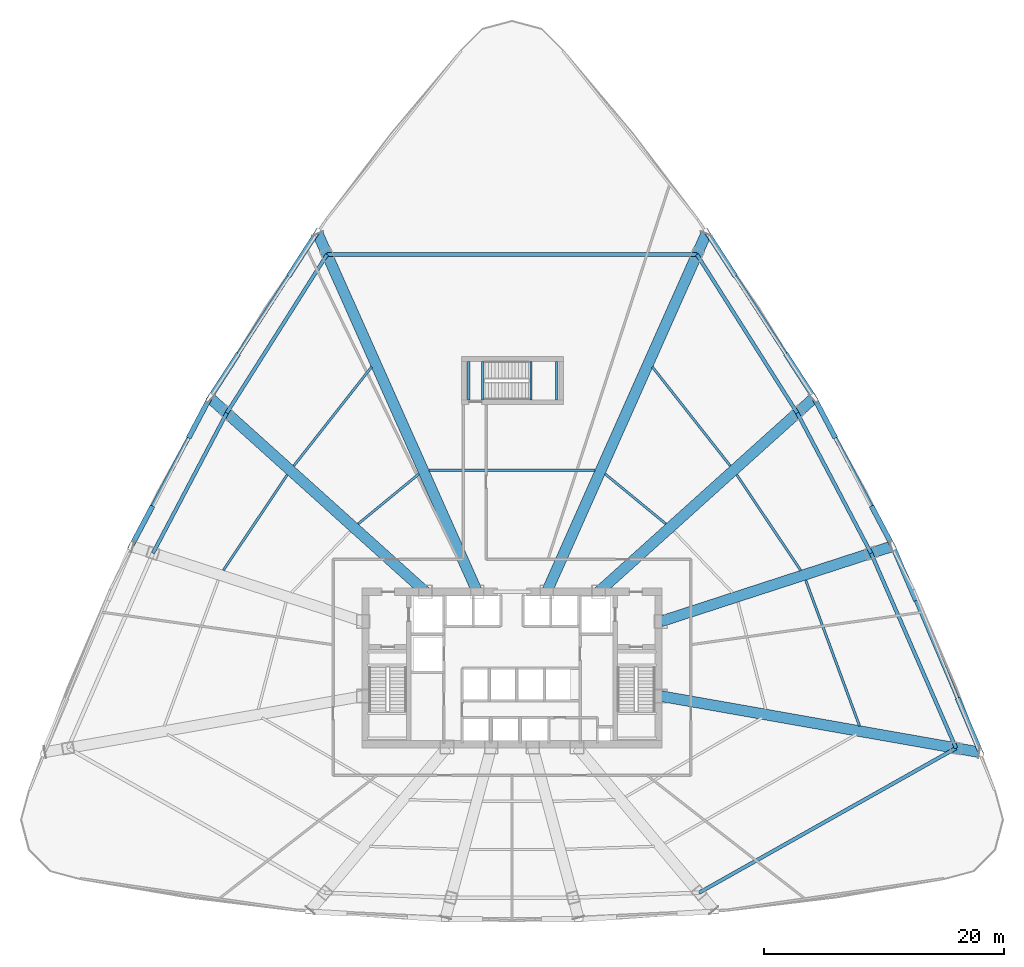
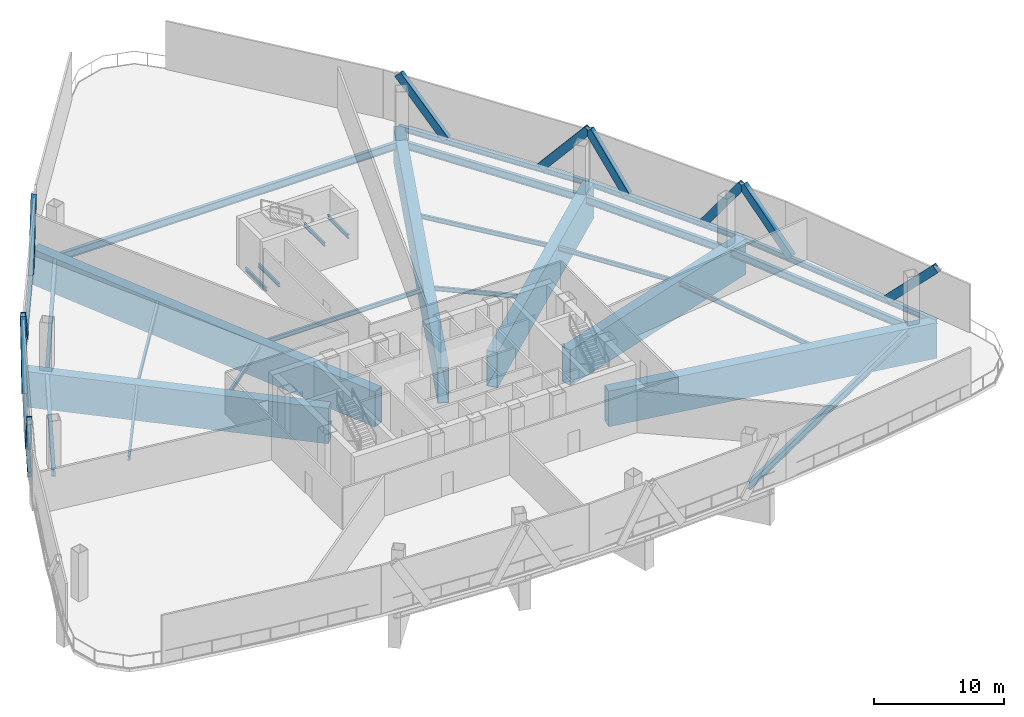
# One storey, part 2 of 15: 30 beams, 10 members.
"""IFC4 building model written with IfcOpenShell, lengths in metres."""

from ifc_helpers import new_model, si_unit, direction, frame, origin, origin_2d, place, context, subcontext, project, spatial, hollow_rectangle, i_section, extrude, source, transform, mapped, material, material_profile, profile_set, type_object, element, save


model = new_model("IFC4")

# Units and contexts
model_context = context("Model", 3, precision=1e-05, world=origin(), true_north=direction((0.0, 1.0)))
body_context = subcontext(model_context, "Body", "Model", "MODEL_VIEW")
ifc_project = project(units=[si_unit("LENGTHUNIT", "METRE"), si_unit("AREAUNIT", "SQUARE_METRE"), si_unit("VOLUMEUNIT", "CUBIC_METRE"), si_unit("PLANEANGLEUNIT", "RADIAN"), si_unit("MASSUNIT", "GRAM", prefix="KILO"), si_unit("THERMODYNAMICTEMPERATUREUNIT", "KELVIN"), si_unit("POWERUNIT", "WATT")], contexts=[model_context])

# Site, building, storey
site_placement = place(None, origin())
site = spatial("IfcSite", under=ifc_project, at=site_placement, CompositionType="ELEMENT")
building_placement = place(site_placement, origin())
building = spatial("IfcBuilding", under=site, at=building_placement, Name="Yunzhuo Pagoda Commons", CompositionType="ELEMENT")
storey_placement = place(building_placement, frame((0.0, 0.0, 125.030029296875)))
storey = spatial("IfcBuildingStorey", under=building, at=storey_placement, Name="L31", CompositionType="ELEMENT", Elevation=125.030029296875)

# Beams
ifc_material_1 = material(Name="Structural steel Q355B", Category="steel")
ifc_material_profile_1 = material_profile(ifc_material_1, i_section(OverallWidth=0.175048828125, OverallDepth=0.35009765625, WebThickness=0.007080078125, FlangeThickness=0.010986328125, at=origin_2d()), Name="Structural steel Q355B")
ifc_profile_set_1 = profile_set([ifc_material_profile_1], Name="Structural steel Q355B")
beam_type_1 = type_object("IfcBeamType", Name="B-JS2 Joist HN 350x175x7x11", PredefinedType="JOIST", material=ifc_profile_set_1)
shared_shape_1 = source(origin(), body_context, "Body", "SweptSolid", [
    extrude(i_section(OverallWidth=0.175048828125, OverallDepth=0.35009765625, WebThickness=0.007080078125, FlangeThickness=0.010986328125, at=origin_2d()), origin(), (0.0, 0.0, 1.0), 3.199951171875),
])
for number, where, z_axis, x_axis, name in (
    (1, (49.590087890625, 56.199951171875, 2.02490234375), (0.0, 1.0, 0.0), (-1.0, 0.0, 0.0), "L31 ST3 landing support beam 37A"),
    (2, (51.699951171875, 56.199951171875, 2.02490234375), (0.0, 1.0, 0.0), (-1.0, 0.0, 0.0), "L31 ST3 landing support beam 37B"),
    (3, (44.39990234375, 56.199951171875, -0.375), (0.0, 1.0, 0.0), (-1.0, 0.0, 0.0), "L31 ST3 landing support beam 105A"),
    (4, (45.550048828125, 56.199951171875, -0.375), (0.0, 1.0, 0.0), (-1.0, 0.0, 0.0), "L31 ST3 landing support beam 105B"),
):
    element("IfcBeam", number, at=place(storey_placement, frame(where, z_axis=z_axis, x_axis=x_axis)), inside=storey, type_object=beam_type_1, Name=name, PredefinedType="JOIST", context=body_context, shape_type="MappedRepresentation", body=[
        mapped(shared_shape_1, transform((0.0, 0.0, 0.0), scale=1.0)),
    ])
ifc_material_2 = material(Name="Structural steel Q420B", Category="steel")
ifc_material_profile_2 = material_profile(ifc_material_2, hollow_rectangle(XDim=0.89990234375, YDim=3.35009765625, WallThickness=0.048095703125, at=origin_2d()), Name="Structural steel Q420B")
ifc_profile_set_2 = profile_set([ifc_material_profile_2], Name="Structural steel Q420B")
beam_type_2 = type_object("IfcBeamType", Name="BTR-2 Beam BOX 3350x900x48", PredefinedType="BEAM", material=ifc_profile_set_2)
shared_shape_2 = source(origin(), body_context, "Body", "SweptSolid", [
    extrude(hollow_rectangle(XDim=0.89990234375, YDim=3.35009765625, WallThickness=0.048095703125, at=origin_2d()), origin(), (0.0, 0.0, 1.0), 26.904052734375),
])
beam_1_placement = place(storey_placement, frame((86.895263671875, 26.841796875, -1.955078125), z_axis=(-0.984809127253, 0.173640383782, 0.0), x_axis=(-0.173640383782, -0.984809127253, 0.0)))
element("IfcBeam", 5, at=beam_1_placement, inside=storey, type_object=beam_type_2, Name="BTR-2 L31 collinear transfer girder F2C1", PredefinedType="BEAM", context=body_context, shape_type="MappedRepresentation", body=[
    mapped(shared_shape_2, transform((0.0, 0.0, 0.0), scale=1.0)),
])
shared_shape_3 = source(origin(), body_context, "Body", "SweptSolid", [
    extrude(hollow_rectangle(XDim=0.89990234375, YDim=3.35009765625, WallThickness=0.048095703125, at=origin_2d()), origin(), (0.0, 0.0, 1.0), 20.159912109375),
])
beam_2_placement = place(storey_placement, frame((79.572998046875, 43.958740234375, -1.955078125), z_axis=(-0.951056226242, -0.309017887067, 0.0), x_axis=(0.309017887067, -0.951056226242, 0.0)))
element("IfcBeam", 6, at=beam_2_placement, inside=storey, type_object=beam_type_2, Name="BTR-2 L31 collinear transfer girder F2C2", PredefinedType="BEAM", context=body_context, shape_type="MappedRepresentation", body=[
    mapped(shared_shape_3, transform((0.0, 0.0, 0.0), scale=1.0)),
])
shared_shape_4 = source(origin(), body_context, "Body", "SweptSolid", [
    extrude(hollow_rectangle(XDim=0.89990234375, YDim=3.35009765625, WallThickness=0.048095703125, at=origin_2d()), origin(), (0.0, 0.0, 1.0), 24.005859375),
])
for number, where, z_axis, x_axis, name in (
    (7, (73.05859375, 56.26318359375, -1.955078125), (-0.743136854915, -0.66913945846, 0.0), (0.66913945846, -0.743136854915, 0.0), "BTR-2 L31 collinear transfer girder F2C3"),
    (8, (22.94140625, 56.26318359375, -1.955078125), (0.743136854915, -0.66913945846, 0.0), (0.66913945846, 0.743136854915, 0.0), "BTR-2 L31 collinear transfer girder F3C2"),
):
    element("IfcBeam", number, at=place(storey_placement, frame(where, z_axis=z_axis, x_axis=x_axis)), inside=storey, type_object=beam_type_2, Name=name, PredefinedType="BEAM", context=body_context, shape_type="MappedRepresentation", body=[
        mapped(shared_shape_4, transform((0.0, 0.0, 0.0), scale=1.0)),
    ])
shared_shape_5 = source(origin(), body_context, "Body", "SweptSolid", [
    extrude(hollow_rectangle(XDim=0.89990234375, YDim=3.35009765625, WallThickness=0.048095703125, at=origin_2d()), origin(), (0.0, 0.0, 1.0), 32.64453125),
])
for number, where, z_axis, x_axis, name in (
    (9, (64.171630859375, 70.022216796875, -1.955078125), (-0.406733058142, -0.91354705375, 0.0), (0.91354705375, -0.406733058142, 0.0), "BTR-2 L31 collinear transfer girder F2C4"),
    (10, (31.828369140625, 70.022216796875, -1.955078125), (0.406733058142, -0.91354705375, 0.0), (0.91354705375, 0.406733058142, 0.0), "BTR-2 L31 collinear transfer girder F3C1"),
):
    element("IfcBeam", number, at=place(storey_placement, frame(where, z_axis=z_axis, x_axis=x_axis)), inside=storey, type_object=beam_type_2, Name=name, PredefinedType="BEAM", context=body_context, shape_type="MappedRepresentation", body=[
        mapped(shared_shape_5, transform((0.0, 0.0, 0.0), scale=1.0)),
    ])
ifc_material_profile_3 = material_profile(ifc_material_1, i_section(OverallWidth=0.300048828125, OverallDepth=0.488037109375, WebThickness=0.010986328125, FlangeThickness=0.01806640625, at=origin_2d()), Name="Structural steel Q355B")
ifc_profile_set_3 = profile_set([ifc_material_profile_3], Name="Structural steel Q355B")
beam_type_3 = type_object("IfcBeamType", Name="B-SP1 Beam HM 488x300x11x18", PredefinedType="BEAM", material=ifc_profile_set_3)
shared_shape_6 = source(origin(), body_context, "Body", "SweptSolid", [
    extrude(i_section(OverallWidth=0.300048828125, OverallDepth=0.488037109375, WebThickness=0.010986328125, FlangeThickness=0.01806640625, at=origin_2d()), origin(), (0.0, 0.0, 1.0), 18.688232421875),
])
beam_3_placement = place(storey_placement, frame((87.0478515625, 26.814697265625, -0.523681640625), z_axis=(-0.392084847938, 0.919929058144, 0.0), x_axis=(-0.919929058144, -0.392084847938, 0.0)))
element("IfcBeam", 11, at=beam_3_placement, inside=storey, type_object=beam_type_3, Name="L31 facade edge spandrel beam F2.1", PredefinedType="BEAM", context=body_context, shape_type="MappedRepresentation", body=[
    mapped(shared_shape_6, transform((0.0, 0.0, 0.0), scale=1.0)),
])
shared_shape_7 = source(origin(), body_context, "Body", "SweptSolid", [
    extrude(i_section(OverallWidth=0.300048828125, OverallDepth=0.488037109375, WebThickness=0.010986328125, FlangeThickness=0.01806640625, at=origin_2d()), origin(), (0.0, 0.0, 1.0), 13.98681640625),
])
for number, where, z_axis, x_axis, name in (
    (12, (79.720458984375, 44.006591796875, -0.523681640625), (-0.468057733589, 0.883697888437, 0.0), (-0.883697888437, -0.468057733589, 0.0), "L31 facade edge spandrel beam F2.2"),
    (13, (22.826171875, 56.36669921875, -0.523681640625), (-0.468057733589, -0.883697888437, 0.0), (0.883697888437, -0.468057733589, 0.0), "L31 facade edge spandrel beam F3.2"),
):
    element("IfcBeam", number, at=place(storey_placement, frame(where, z_axis=z_axis, x_axis=x_axis)), inside=storey, type_object=beam_type_3, Name=name, PredefinedType="BEAM", context=body_context, shape_type="MappedRepresentation", body=[
        mapped(shared_shape_7, transform((0.0, 0.0, 0.0), scale=1.0)),
    ])
shared_shape_8 = source(origin(), body_context, "Body", "SweptSolid", [
    extrude(i_section(OverallWidth=0.300048828125, OverallDepth=0.488037109375, WebThickness=0.010986328125, FlangeThickness=0.01806640625, at=origin_2d()), origin(), (0.0, 0.0, 1.0), 16.43994140625),
])
for number, where, z_axis, x_axis, name in (
    (14, (73.173828125, 56.36669921875, -0.523681640625), (-0.543751172909, 0.839246484627, 0.0), (-0.839246484627, -0.543751172909, 0.0), "L31 facade edge spandrel beam F2.3"),
    (15, (31.765380859375, 70.163818359375, -0.523681640625), (-0.543751172909, -0.839246484627, 0.0), (0.839246484627, -0.543751172909, 0.0), "L31 facade edge spandrel beam F3.1"),
):
    element("IfcBeam", number, at=place(storey_placement, frame(where, z_axis=z_axis, x_axis=x_axis)), inside=storey, type_object=beam_type_3, Name=name, PredefinedType="BEAM", context=body_context, shape_type="MappedRepresentation", body=[
        mapped(shared_shape_8, transform((0.0, 0.0, 0.0), scale=1.0)),
    ])
ifc_material_profile_4 = material_profile(ifc_material_1, i_section(OverallWidth=0.300048828125, OverallDepth=0.699951171875, WebThickness=0.012939453125, FlangeThickness=0.02392578125, at=origin_2d()), Name="Structural steel Q355B")
ifc_profile_set_4 = profile_set([ifc_material_profile_4], Name="Structural steel Q355B")
beam_type_4 = type_object("IfcBeamType", Name="B-RG1 Beam HN 700x300x13x24", PredefinedType="BEAM", material=ifc_profile_set_4)
shared_shape_9 = source(origin(), body_context, "Body", "SweptSolid", [
    extrude(i_section(OverallWidth=0.300048828125, OverallDepth=0.699951171875, WebThickness=0.012939453125, FlangeThickness=0.02392578125, at=origin_2d()), origin(), (0.0, 0.0, 1.0), 24.56982421875),
])
beam_4_placement = place(storey_placement, frame((63.585205078125, 15.126220703125, -0.630126953125), z_axis=(0.871469103633, 0.490450406681, 0.0), x_axis=(-0.490450406681, 0.871469103633, 0.0)))
element("IfcBeam", 16, at=beam_4_placement, inside=storey, type_object=beam_type_4, Name="L31 column-ring beam 4", PredefinedType="BEAM", context=body_context, shape_type="MappedRepresentation", body=[
    mapped(shared_shape_9, transform((0.0, 0.0, 0.0), scale=1.0)),
])
shared_shape_10 = source(origin(), body_context, "Body", "SweptSolid", [
    extrude(i_section(OverallWidth=0.300048828125, OverallDepth=0.699951171875, WebThickness=0.012939453125, FlangeThickness=0.02392578125, at=origin_2d()), origin(), (0.0, 0.0, 1.0), 17.72021484375),
])
beam_5_placement = place(storey_placement, frame((84.9970703125, 27.176513671875, -0.630126953125), z_axis=(-0.399643307961, 0.916670729544, 0.0), x_axis=(-0.916670729544, -0.399643307961, 0.0)))
element("IfcBeam", 17, at=beam_5_placement, inside=storey, type_object=beam_type_4, Name="L31 column-ring beam 5", PredefinedType="BEAM", context=body_context, shape_type="MappedRepresentation", body=[
    mapped(shared_shape_10, transform((0.0, 0.0, 0.0), scale=1.0)),
])
ifc_material_profile_5 = material_profile(ifc_material_1, i_section(OverallWidth=0.199951171875, OverallDepth=0.39990234375, WebThickness=0.008056640625, FlangeThickness=0.012939453125, at=origin_2d()), Name="Structural steel Q355B")
ifc_profile_set_5 = profile_set([ifc_material_profile_5], Name="Structural steel Q355B")
beam_type_5 = type_object("IfcBeamType", Name="B-JS1 Joist HN 400x200x8x13", PredefinedType="JOIST", material=ifc_profile_set_5)
shared_shape_11 = source(origin(), body_context, "Body", "SweptSolid", [
    extrude(i_section(OverallWidth=0.199951171875, OverallDepth=0.39990234375, WebThickness=0.008056640625, FlangeThickness=0.012939453125, at=origin_2d()), origin(), (0.0, 0.0, 1.0), 12.94189453125),
])
beam_6_placement = place(storey_placement, frame((76.960693359375, 29.01171875, -0.47998046875), z_axis=(-0.346556688141, 0.938029030417, 0.0), x_axis=(-0.938029030417, -0.346556688141, 0.0)))
element("IfcBeam", 18, at=beam_6_placement, inside=storey, type_object=beam_type_5, Name="L31 composite ring joist 2.5", PredefinedType="JOIST", context=body_context, shape_type="MappedRepresentation", body=[
    mapped(shared_shape_11, transform((0.0, 0.0, 0.0), scale=1.0)),
])
shared_shape_12 = source(origin(), body_context, "Body", "SweptSolid", [
    extrude(i_section(OverallWidth=0.300048828125, OverallDepth=0.699951171875, WebThickness=0.012939453125, FlangeThickness=0.02392578125, at=origin_2d()), origin(), (0.0, 0.0, 1.0), 13.198974609375),
])
for number, where, z_axis, x_axis, name in (
    (19, (77.915283203125, 43.420166015625, -0.630126953125), (-0.465885937554, 0.884844784801, 0.0), (-0.884844784801, -0.465885937554, 0.0), "L31 column-ring beam 6"),
    (20, (24.23388671875, 55.09912109375, -0.630126953125), (-0.465885937554, -0.884844784801, 0.0), (0.884844784801, -0.465885937554, 0.0), "L31 column-ring beam 10"),
):
    element("IfcBeam", number, at=place(storey_placement, frame(where, z_axis=z_axis, x_axis=x_axis)), inside=storey, type_object=beam_type_4, Name=name, PredefinedType="BEAM", context=body_context, shape_type="MappedRepresentation", body=[
        mapped(shared_shape_12, transform((0.0, 0.0, 0.0), scale=1.0)),
    ])
shared_shape_13 = source(origin(), body_context, "Body", "SweptSolid", [
    extrude(i_section(OverallWidth=0.199951171875, OverallDepth=0.39990234375, WebThickness=0.008056640625, FlangeThickness=0.012939453125, at=origin_2d()), origin(), (0.0, 0.0, 1.0), 9.551025390625),
])
for number, where, z_axis, x_axis, name in (
    (21, (72.04541015625, 41.995849609375, -0.47998046875), (-0.555897103764, 0.831251111294, 0.0), (-0.831251111294, -0.555897103764, 0.0), "L31 composite ring joist 2.6"),
    (22, (29.263916015625, 49.93505859375, -0.47998046875), (-0.555897103764, -0.831251111294, 0.0), (0.831251111294, -0.555897103764, 0.0), "L31 composite ring joist 2.10"),
):
    element("IfcBeam", number, at=place(storey_placement, frame(where, z_axis=z_axis, x_axis=x_axis)), inside=storey, type_object=beam_type_5, Name=name, PredefinedType="JOIST", context=body_context, shape_type="MappedRepresentation", body=[
        mapped(shared_shape_13, transform((0.0, 0.0, 0.0), scale=1.0)),
    ])
shared_shape_14 = source(origin(), body_context, "Body", "SweptSolid", [
    extrude(i_section(OverallWidth=0.300048828125, OverallDepth=0.699951171875, WebThickness=0.012939453125, FlangeThickness=0.02392578125, at=origin_2d()), origin(), (0.0, 0.0, 1.0), 15.627685546875),
])
for number, where, z_axis, x_axis, name in (
    (23, (71.76611328125, 55.09912109375, -0.630126953125), (-0.534952471728, 0.844882153316, 0.0), (-0.844882153316, -0.534952471728, 0.0), "L31 column-ring beam 7"),
    (24, (32.593994140625, 68.302734375, -0.630126953125), (-0.534952471728, -0.844882153316, 0.0), (0.844882153316, -0.534952471728, 0.0), "L31 column-ring beam 9"),
):
    element("IfcBeam", number, at=place(storey_placement, frame(where, z_axis=z_axis, x_axis=x_axis)), inside=storey, type_object=beam_type_4, Name=name, PredefinedType="BEAM", context=body_context, shape_type="MappedRepresentation", body=[
        mapped(shared_shape_14, transform((0.0, 0.0, 0.0), scale=1.0)),
    ])
shared_shape_15 = source(origin(), body_context, "Body", "SweptSolid", [
    extrude(i_section(OverallWidth=0.199951171875, OverallDepth=0.39990234375, WebThickness=0.008056640625, FlangeThickness=0.012939453125, at=origin_2d()), origin(), (0.0, 0.0, 1.0), 6.52783203125),
])
for number, where, z_axis, x_axis, name in (
    (25, (60.8076171875, 45.86669921875, -0.47998046875), (-0.772246463841, 0.635323066703, 0.0), (-0.635323066703, -0.772246463841, 0.0), "L31 composite ring joist 1.7"),
    (26, (40.2333984375, 50.013916015625, -0.47998046875), (-0.772246463841, -0.635323066703, 0.0), (0.635323066703, -0.772246463841, 0.0), "L31 composite ring joist 1.9"),
):
    element("IfcBeam", number, at=place(storey_placement, frame(where, z_axis=z_axis, x_axis=x_axis)), inside=storey, type_object=beam_type_5, Name=name, PredefinedType="JOIST", context=body_context, shape_type="MappedRepresentation", body=[
        mapped(shared_shape_15, transform((0.0, 0.0, 0.0), scale=1.0)),
    ])
shared_shape_16 = source(origin(), body_context, "Body", "SweptSolid", [
    extrude(i_section(OverallWidth=0.199951171875, OverallDepth=0.39990234375, WebThickness=0.008056640625, FlangeThickness=0.012939453125, at=origin_2d()), origin(), (0.0, 0.0, 1.0), 10.47314453125),
])
for number, where, z_axis, x_axis, name in (
    (27, (66.176025390625, 50.706298828125, -0.47998046875), (-0.618606761665, 0.785700753737, 0.0), (-0.785700753737, -0.618606761665, 0.0), "L31 composite ring joist 2.7"),
    (28, (36.302734375, 58.93505859375, -0.47998046875), (-0.618606761665, -0.785700753737, 0.0), (0.785700753737, -0.618606761665, 0.0), "L31 composite ring joist 2.9"),
):
    element("IfcBeam", number, at=place(storey_placement, frame(where, z_axis=z_axis, x_axis=x_axis)), inside=storey, type_object=beam_type_5, Name=name, PredefinedType="JOIST", context=body_context, shape_type="MappedRepresentation", body=[
        mapped(shared_shape_16, transform((0.0, 0.0, 0.0), scale=1.0)),
    ])
shared_shape_17 = source(origin(), body_context, "Body", "SweptSolid", [
    extrude(i_section(OverallWidth=0.300048828125, OverallDepth=0.699951171875, WebThickness=0.012939453125, FlangeThickness=0.02392578125, at=origin_2d()), origin(), (0.0, 0.0, 1.0), 30.81201171875),
])
beam_7_placement = place(storey_placement, frame((63.406005859375, 68.302734375, -0.630126953125), z_axis=(-1.0, 0.0, 0.0), x_axis=(0.0, -1.0, 0.0)))
element("IfcBeam", 29, at=beam_7_placement, inside=storey, type_object=beam_type_4, Name="L31 column-ring beam 8", PredefinedType="BEAM", context=body_context, shape_type="MappedRepresentation", body=[
    mapped(shared_shape_17, transform((0.0, 0.0, 0.0), scale=1.0)),
])
shared_shape_18 = source(origin(), body_context, "Body", "SweptSolid", [
    extrude(i_section(OverallWidth=0.199951171875, OverallDepth=0.39990234375, WebThickness=0.008056640625, FlangeThickness=0.012939453125, at=origin_2d()), origin(), (0.0, 0.0, 1.0), 13.8427734375),
])
beam_8_placement = place(storey_placement, frame((54.92138671875, 50.317138671875, -0.47998046875), z_axis=(-1.0, 0.0, 0.0), x_axis=(0.0, -1.0, 0.0)))
element("IfcBeam", 30, at=beam_8_placement, inside=storey, type_object=beam_type_5, Name="L31 composite ring joist 1.8", PredefinedType="JOIST", context=body_context, shape_type="MappedRepresentation", body=[
    mapped(shared_shape_18, transform((0.0, 0.0, 0.0), scale=1.0)),
])

# Members
ifc_material_profile_6 = material_profile(ifc_material_2, hollow_rectangle(XDim=0.419921875, YDim=0.719970703125, WallThickness=0.028076171875, at=origin_2d()), Name="Structural steel Q420B")
ifc_profile_set_6 = profile_set([ifc_material_profile_6], Name="Structural steel Q420B")
member_type = type_object("IfcMemberType", Name="M-DL1 Brace BOX 720x420x28", PredefinedType="BRACE", material=ifc_profile_set_6)
shared_shape_19 = source(origin(), body_context, "Body", "SweptSolid", [
    extrude(hollow_rectangle(XDim=0.419921875, YDim=0.719970703125, WallThickness=0.028076171875, at=origin_2d()), origin(), (0.0, 0.0, 1.0), 6.712646484375),
])
member_1_placement = place(storey_placement, frame((85.21630859375, 31.11279296875, -0.280029296875), z_axis=(0.272844727111, -0.640286779631, 0.718044980985), x_axis=(0.919956632519, 0.392020145252, 0.0)))
element("IfcMember", 31, at=member_1_placement, inside=storey, type_object=member_type, Name="L31 facade diamond brace F2.1L", PredefinedType="BRACE", context=body_context, shape_type="MappedRepresentation", body=[
    mapped(shared_shape_19, transform((0.0, 0.0, 0.0), scale=1.0)),
])
shared_shape_20 = source(origin(), body_context, "Body", "SweptSolid", [
    extrude(hollow_rectangle(XDim=0.419921875, YDim=0.719970703125, WallThickness=0.028076171875, at=origin_2d()), origin(), (0.0, 0.0, 1.0), 6.712890625),
])
member_2_placement = place(storey_placement, frame((81.552490234375, 39.70849609375, -0.280029296875), z_axis=(-0.272912049289, 0.640274070859, 0.718030728826), x_axis=(-0.919918938864, -0.392108589448, 0.0)))
element("IfcMember", 32, at=member_2_placement, inside=storey, type_object=member_type, Name="L31 facade diamond brace F2.1R", PredefinedType="BRACE", context=body_context, shape_type="MappedRepresentation", body=[
    mapped(shared_shape_20, transform((0.0, 0.0, 0.0), scale=1.0)),
])
shared_shape_21 = source(origin(), body_context, "Body", "SweptSolid", [
    extrude(hollow_rectangle(XDim=0.419921875, YDim=0.719970703125, WallThickness=0.028076171875, at=origin_2d()), origin(), (0.0, 0.0, 1.0), 5.954833984375),
])
for number, where, z_axis, x_axis, name in (
    (33, (78.083740234375, 47.0966796875, -0.280029296875), (0.274853531463, -0.51891723564, 0.809432170597), (0.883694492721, 0.468064144679, 0.0), "L31 facade diamond brace F2.2L"),
    (34, (74.810546875, 53.276611328125, -0.280029296875), (-0.274853531463, 0.51891723564, 0.809432170597), (-0.883694492721, -0.468064144679, 0.0), "L31 facade diamond brace F2.2R"),
    (35, (21.189453125, 53.276611328125, -0.280029296875), (0.274853531463, 0.51891723564, 0.809432170597), (-0.883694492721, 0.468064144679, 0.0), "L31 facade diamond brace F3.2L"),
    (36, (17.916259765625, 47.0966796875, -0.280029296875), (-0.274853531463, -0.51891723564, 0.809432170597), (0.883694492721, -0.468064144679, 0.0), "L31 facade diamond brace F3.2R"),
):
    element("IfcMember", number, at=place(storey_placement, frame(where, z_axis=z_axis, x_axis=x_axis)), inside=storey, type_object=member_type, Name=name, PredefinedType="BRACE", context=body_context, shape_type="MappedRepresentation", body=[
        mapped(shared_shape_21, transform((0.0, 0.0, 0.0), scale=1.0)),
    ])
shared_shape_22 = source(origin(), body_context, "Body", "SweptSolid", [
    extrude(hollow_rectangle(XDim=0.419921875, YDim=0.719970703125, WallThickness=0.028076171875, at=origin_2d()), origin(), (0.0, 0.0, 1.0), 6.33447265625),
])
for number, where, z_axis, x_axis, name in (
    (37, (70.93896484375, 59.81591796875, -0.280029296875), (0.352813027175, -0.544520695644, 0.760933755245), (0.839235316725, 0.543768409492, 0.0), "L31 facade diamond brace F2.3L"),
    (38, (66.469482421875, 66.714599609375, -0.280029296875), (-0.352813027175, 0.544520695644, 0.760933755245), (-0.839235316725, -0.543768409492, 0.0), "L31 facade diamond brace F2.3R"),
    (39, (29.530517578125, 66.714599609375, -0.280029296875), (0.352813027175, 0.544520695644, 0.760933755245), (-0.839235316725, 0.543768409492, 0.0), "L31 facade diamond brace F3.1L"),
    (40, (25.06103515625, 59.81591796875, -0.280029296875), (-0.352813027175, -0.544520695644, 0.760933755245), (0.839235316725, -0.543768409492, 0.0), "L31 facade diamond brace F3.1R"),
):
    element("IfcMember", number, at=place(storey_placement, frame(where, z_axis=z_axis, x_axis=x_axis)), inside=storey, type_object=member_type, Name=name, PredefinedType="BRACE", context=body_context, shape_type="MappedRepresentation", body=[
        mapped(shared_shape_22, transform((0.0, 0.0, 0.0), scale=1.0)),
    ])

save(model, "model.ifc")
